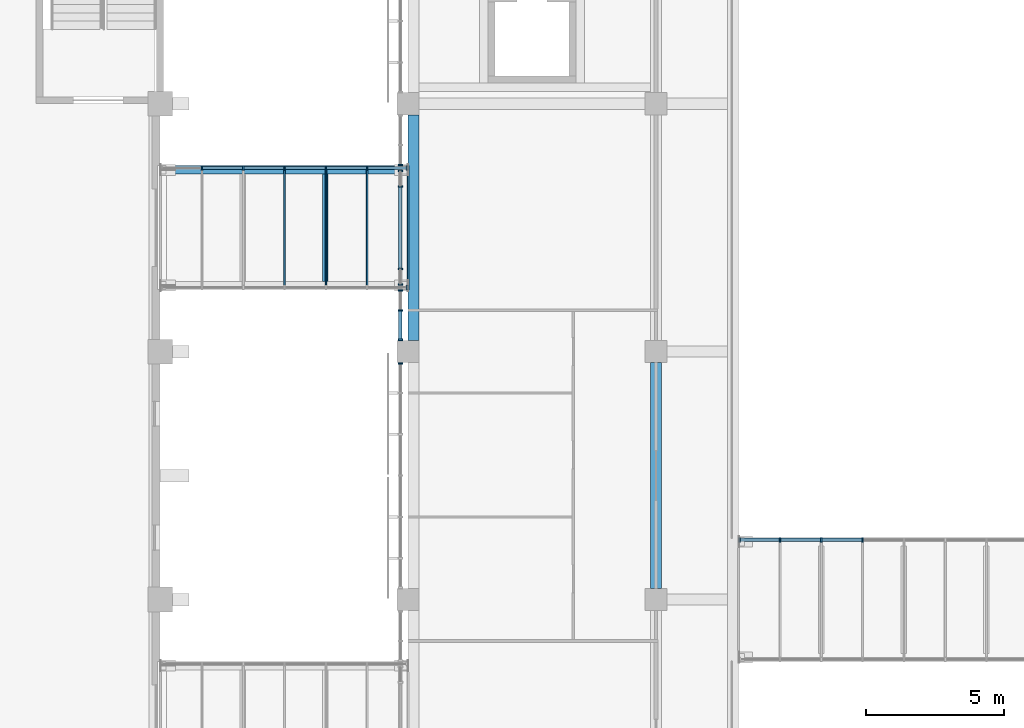
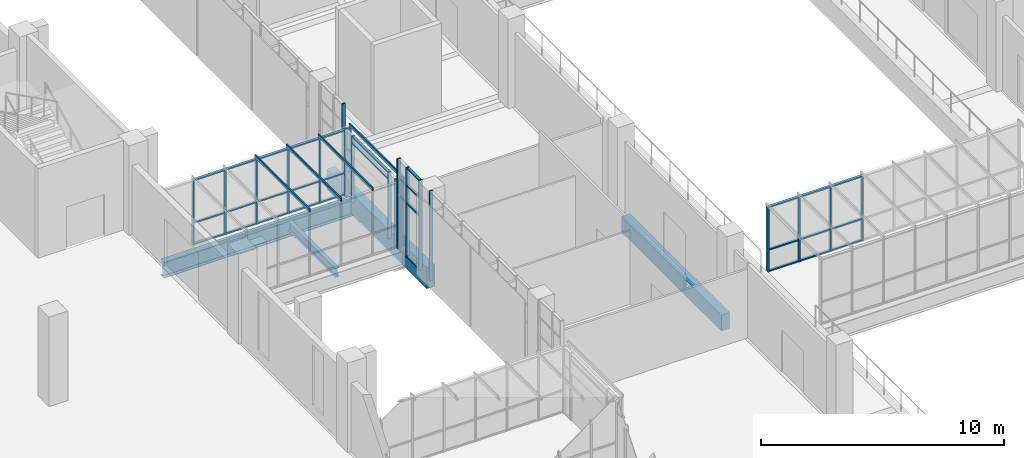
# One storey, part 16 of 88: 54 members, 4 beams, 8 elements without a shape of their own.
"""IFC4 building model written with IfcOpenShell, lengths in metres."""

from ifc_helpers import new_model, si_unit, direction, frame, origin, origin_2d, place, context, subcontext, project, spatial, rectangle, i_section, extrude, material, layer, layer_set, material_profile, profile_set, type_object, element, aggregate, save


model = new_model("IFC4")

# Units and contexts
model_context = context("Model", 3, precision=1e-05, world=origin(), true_north=direction((0.0, 1.0)))
body_context = subcontext(model_context, "Body", "Model", "MODEL_VIEW")
ifc_project = project(units=[si_unit("LENGTHUNIT", "METRE"), si_unit("AREAUNIT", "SQUARE_METRE"), si_unit("VOLUMEUNIT", "CUBIC_METRE"), si_unit("PLANEANGLEUNIT", "RADIAN"), si_unit("MASSUNIT", "GRAM", prefix="KILO")], contexts=[model_context])

# Site, building, storey
site_placement = place(None, origin())
site = spatial("IfcSite", under=ifc_project, at=site_placement, CompositionType="ELEMENT")
building_placement = place(site_placement, origin())
building = spatial("IfcBuilding", under=site, at=building_placement, Name="Guidao Yard Department Store", CompositionType="ELEMENT")
storey_placement = place(building_placement, frame((0.0, 0.0, 6.0)))
storey = spatial("IfcBuildingStorey", under=building, at=storey_placement, Name="L01", CompositionType="ELEMENT", Elevation=6.0)

# Beams
ifc_material_1 = material(Name="Concrete C40", Category="concrete")
ifc_material_profile_1 = material_profile(ifc_material_1, rectangle(XDim=0.39990234375, YDim=1.050048828125, at=origin_2d()), Name="Bridge landing beam 400 x 1050 C40")
ifc_profile_set_1 = profile_set([ifc_material_profile_1], Name="Concrete C40")
beam_type_1 = type_object("IfcBeamType", Name="Bridge landing beam 400 x 1050 C40", PredefinedType="BEAM", material=ifc_profile_set_1)
beam_1_placement = place(storey_placement, frame((72.199951171875, 72.39990234375, -0.52490234375), z_axis=(0.0, 1.0, 0.0), x_axis=(-1.0, 0.0, 0.0)))
element("IfcBeam", 1, at=beam_1_placement, inside=storey, type_object=beam_type_1, Name="Beam LB04", PredefinedType="BEAM", context=body_context, shape_type="SweptSolid", body=[
    extrude(rectangle(XDim=0.39990234375, YDim=1.050048828125, at=origin_2d()), origin(), (0.0, 0.0, 1.0), 8.2001953125),
])
ifc_material_2 = material(Name="Concrete C40", Category="concrete")
ifc_material_profile_2 = material_profile(ifc_material_2, rectangle(XDim=0.39990234375, YDim=0.800048828125, at=origin_2d()), Name="Edge beam 400 x 800 C40")
ifc_profile_set_2 = profile_set([ifc_material_profile_2], Name="Concrete C40")
beam_type_2 = type_object("IfcBeamType", Name="Edge beam 400 x 800 C40", PredefinedType="BEAM", material=ifc_profile_set_2)
beam_2_placement = place(storey_placement, frame((81.0, 63.39990234375, -0.39990234375), z_axis=(0.0, 1.0, 0.0), x_axis=(-1.0, 0.0, 0.0)))
element("IfcBeam", 2, at=beam_2_placement, inside=storey, type_object=beam_type_2, Name="Beam EB34", PredefinedType="BEAM", context=body_context, shape_type="SweptSolid", body=[
    extrude(rectangle(XDim=0.39990234375, YDim=0.800048828125, at=origin_2d()), origin(), (0.0, 0.0, 1.0), 8.2001953125),
])
ifc_material_3 = material(Name="Steel Q355B", Category="steel")
ifc_material_profile_3 = material_profile(ifc_material_3, i_section(OverallWidth=0.199951171875, OverallDepth=0.449951171875, WebThickness=0.009033203125, FlangeThickness=0.013916015625, FilletRadius=0.012939453125, at=origin_2d()), Name="HN 450x200x9x14")
ifc_profile_set_3 = profile_set([ifc_material_profile_3], Name="Steel Q355B")
beam_type_3 = type_object("IfcBeamType", Name="HN 450x200x9x14", PredefinedType="BEAM", material=ifc_profile_set_3)
beam_3_placement = place(storey_placement, frame((68.9951171875, 74.550048828125, -0.47509765625), z_axis=(0.0, 1.0, 0.0), x_axis=(-1.0, 0.0, 0.0)))
element("IfcBeam", 3, at=beam_3_placement, inside=storey, type_object=beam_type_3, Name="Bridge cross beam BR02-2", PredefinedType="BEAM", context=body_context, shape_type="SweptSolid", body=[
    extrude(i_section(OverallWidth=0.199951171875, OverallDepth=0.449951171875, WebThickness=0.009033203125, FlangeThickness=0.013916015625, FilletRadius=0.012939453125, at=origin_2d()), origin(), (0.0, 0.0, 1.0), 3.89990234375),
])
ifc_material_4 = material(Name="Steel Q355B", Category="steel")
ifc_material_profile_4 = material_profile(ifc_material_4, i_section(OverallWidth=0.300048828125, OverallDepth=0.800048828125, WebThickness=0.013916015625, FlangeThickness=0.02587890625, FilletRadius=0.01806640625, at=origin_2d()), Name="HN 800x300x14x26")
ifc_profile_set_4 = profile_set([ifc_material_profile_4], Name="Steel Q355B")
beam_type_4 = type_object("IfcBeamType", Name="HN 800x300x14x26", PredefinedType="BEAM", material=ifc_profile_set_4)
beam_4_placement = place(storey_placement, frame((63.014892578125, 78.60009765625, -0.64990234375), z_axis=(1.0, 0.0, 0.0), x_axis=(0.0, 1.0, 0.0)))
element("IfcBeam", 4, at=beam_4_placement, inside=storey, type_object=beam_type_4, Name="Bridge girder BR02N", PredefinedType="BEAM", context=body_context, shape_type="SweptSolid", body=[
    extrude(i_section(OverallWidth=0.300048828125, OverallDepth=0.800048828125, WebThickness=0.013916015625, FlangeThickness=0.02587890625, FilletRadius=0.01806640625, at=origin_2d()), origin(), (0.0, 0.0, 1.0), 8.97021484375),
])

# Curtain wall, member
ifc_material_5 = material(Name="Aluminium and glass", Category="aluminium")
ifc_layer_1 = layer(ifc_material_5, 0.159912109375)
ifc_layer_set_1 = layer_set([ifc_layer_1], Name="Shopfront curtain wall CW1 1500 module")
curtain_wall_type_1 = type_object("IfcCurtainWallType", Name="Shopfront curtain wall CW1 1500 module", PredefinedType="NOTDEFINED", material=ifc_layer_set_1)
curtain_wall_1_placement = place(storey_placement, origin())
curtain_wall_1 = element("IfcCurtainWall", 5, at=curtain_wall_1_placement, inside=storey, type_object=curtain_wall_type_1, Name="Arcade shop front", PredefinedType="NOTDEFINED")
ifc_material_6 = material(Name="Aluminium 6063-T5", Category="aluminium")
ifc_material_profile_5 = material_profile(ifc_material_6, rectangle(XDim=0.06005859375, YDim=0.159912109375, at=origin_2d()), Name="Mullion M1 60 x 160 aluminium pressure plate")
ifc_profile_set_5 = profile_set([ifc_material_profile_5], Name="Aluminium 6063-T5")
member_type_1 = type_object("IfcMemberType", Name="Mullion M1 60 x 160 aluminium pressure plate", PredefinedType="MULLION", material=ifc_profile_set_5)
member_1_placement = place(storey_placement, frame((71.719970703125, 71.570068359375, 0.0), z_axis=(0.0, 0.0, 1.0), x_axis=(0.0, 1.0, 0.0)))
member_1 = element("IfcMember", 6, at=member_1_placement, type_object=member_type_1, Name="CW-AS-L01-05 mullion 7", PredefinedType="MULLION", context=body_context, shape_type="SweptSolid", body=[
    extrude(rectangle(XDim=0.06005859375, YDim=0.159912109375, at=origin_2d()), origin(), (0.0, 0.0, 1.0), 4.5),
])
aggregate(curtain_wall_1, [member_1])

# Curtain wall, members
curtain_wall_2_placement = place(storey_placement, origin())
curtain_wall_2 = element("IfcCurtainWall", 7, at=curtain_wall_2_placement, inside=storey, type_object=curtain_wall_type_1, Name="Arcade shop front", PredefinedType="NOTDEFINED")
member_2_placement = place(storey_placement, frame((71.719970703125, 72.429931640625, 0.0), z_axis=(0.0, 0.0, 1.0), x_axis=(0.0, 1.0, 0.0)))
member_2 = element("IfcMember", 8, at=member_2_placement, type_object=member_type_1, Name="CW-AS-L01-06 mullion 1", PredefinedType="MULLION", context=body_context, shape_type="SweptSolid", body=[
    extrude(rectangle(XDim=0.06005859375, YDim=0.159912109375, at=origin_2d()), origin(), (0.0, 0.0, 1.0), 4.5),
])
member_3_placement = place(storey_placement, frame((71.719970703125, 73.5, 0.0), z_axis=(0.0, 0.0, 1.0), x_axis=(0.0, 1.0, 0.0)))
member_3 = element("IfcMember", 9, at=member_3_placement, type_object=member_type_1, Name="CW-AS-L01-06 mullion 2", PredefinedType="MULLION", context=body_context, shape_type="SweptSolid", body=[
    extrude(rectangle(XDim=0.06005859375, YDim=0.159912109375, at=origin_2d()), origin(), (0.0, 0.0, 1.0), 4.5),
])
member_4_placement = place(storey_placement, frame((71.719970703125, 74.219970703125, 0.0), z_axis=(0.0, 0.0, 1.0), x_axis=(0.0, 1.0, 0.0)))
member_4 = element("IfcMember", 10, at=member_4_placement, type_object=member_type_1, Name="CW-AS-L01-06 mullion 3", PredefinedType="MULLION", context=body_context, shape_type="SweptSolid", body=[
    extrude(rectangle(XDim=0.06005859375, YDim=0.159912109375, at=origin_2d()), origin(), (0.0, 0.0, 1.0), 4.5),
])

curtain_wall_3_placement = place(storey_placement, origin())
curtain_wall_3 = element("IfcCurtainWall", 11, at=curtain_wall_3_placement, inside=storey, type_object=curtain_wall_type_1, Name="Arcade shop front", PredefinedType="NOTDEFINED")
member_5_placement = place(storey_placement, frame((71.719970703125, 74.43994140625, 0.0), z_axis=(0.0, 0.0, 1.0), x_axis=(0.0, 1.0, 0.0)))
member_5 = element("IfcMember", 12, at=member_5_placement, type_object=member_type_1, Name="CW-AS-L01-07 mullion 1", PredefinedType="MULLION", context=body_context, shape_type="SweptSolid", body=[
    extrude(rectangle(XDim=0.06005859375, YDim=0.159912109375, at=origin_2d()), origin(), (0.0, 0.0, 1.0), 3.35009765625),
])
member_6_placement = place(storey_placement, frame((71.719970703125, 75.0, 0.0), z_axis=(0.0, 0.0, 1.0), x_axis=(0.0, 1.0, 0.0)))
member_6 = element("IfcMember", 13, at=member_6_placement, type_object=member_type_1, Name="CW-AS-L01-07 mullion 2", PredefinedType="MULLION", context=body_context, shape_type="SweptSolid", body=[
    extrude(rectangle(XDim=0.06005859375, YDim=0.159912109375, at=origin_2d()), origin(), (0.0, 0.0, 1.0), 3.35009765625),
])
member_7_placement = place(storey_placement, frame((71.719970703125, 78.0, 0.0), z_axis=(0.0, 0.0, 1.0), x_axis=(0.0, 1.0, 0.0)))
member_7 = element("IfcMember", 14, at=member_7_placement, type_object=member_type_1, Name="CW-AS-L01-07 mullion 3", PredefinedType="MULLION", context=body_context, shape_type="SweptSolid", body=[
    extrude(rectangle(XDim=0.06005859375, YDim=0.159912109375, at=origin_2d()), origin(), (0.0, 0.0, 1.0), 3.35009765625),
])
member_8_placement = place(storey_placement, frame((71.719970703125, 78.56005859375, 0.0), z_axis=(0.0, 0.0, 1.0), x_axis=(0.0, 1.0, 0.0)))
member_8 = element("IfcMember", 15, at=member_8_placement, type_object=member_type_1, Name="CW-AS-L01-07 mullion 4", PredefinedType="MULLION", context=body_context, shape_type="SweptSolid", body=[
    extrude(rectangle(XDim=0.06005859375, YDim=0.159912109375, at=origin_2d()), origin(), (0.0, 0.0, 1.0), 3.35009765625),
])

# Curtain wall, member
curtain_wall_4_placement = place(storey_placement, origin())
curtain_wall_4 = element("IfcCurtainWall", 16, at=curtain_wall_4_placement, inside=storey, type_object=curtain_wall_type_1, Name="Arcade shop front", PredefinedType="NOTDEFINED")
member_9_placement = place(storey_placement, frame((71.719970703125, 78.780029296875, 0.0), z_axis=(0.0, 0.0, 1.0), x_axis=(0.0, 1.0, 0.0)))
member_9 = element("IfcMember", 17, at=member_9_placement, type_object=member_type_1, Name="CW-AS-L01-08 mullion 1", PredefinedType="MULLION", context=body_context, shape_type="SweptSolid", body=[
    extrude(rectangle(XDim=0.06005859375, YDim=0.159912109375, at=origin_2d()), origin(), (0.0, 0.0, 1.0), 4.5),
])
aggregate(curtain_wall_4, [member_9])

ifc_material_7 = material(Name="Aluminium and glass", Category="aluminium")
ifc_layer_2 = layer(ifc_material_7, 0.159912109375)
ifc_layer_set_2 = layer_set([ifc_layer_2], Name="Bridge glazing CW5 1500 module")
curtain_wall_type_2 = type_object("IfcCurtainWallType", Name="Bridge glazing CW5 1500 module", PredefinedType="NOTDEFINED", material=ifc_layer_set_2)
curtain_wall_5_placement = place(storey_placement, origin())
curtain_wall_5 = element("IfcCurtainWall", 18, at=curtain_wall_5_placement, inside=storey, type_object=curtain_wall_type_2, Name="Bridge glazing BR02 S", PredefinedType="NOTDEFINED")
member_10_placement = place(storey_placement, frame((71.969970703125, 74.330078125, 0.0), z_axis=(0.0, 0.0, 1.0), x_axis=(-1.0, 0.0, 0.0)))
member_10 = element("IfcMember", 19, at=member_10_placement, type_object=member_type_1, Name="CW-S-L01-03 mullion 7", PredefinedType="MULLION", context=body_context, shape_type="SweptSolid", body=[
    extrude(rectangle(XDim=0.06005859375, YDim=0.159912109375, at=origin_2d()), origin(), (0.0, 0.0, 1.0), 3.27001953125),
])
aggregate(curtain_wall_5, [member_10])

# Curtain wall, members
curtain_wall_6_placement = place(storey_placement, origin())
curtain_wall_6 = element("IfcCurtainWall", 20, at=curtain_wall_6_placement, inside=storey, type_object=curtain_wall_type_2, Name="Bridge glazing BR02 N", PredefinedType="NOTDEFINED")
member_11_placement = place(storey_placement, frame((64.514892578125, 78.669921875, 0.0), z_axis=(0.0, 0.0, 1.0), x_axis=(1.0, 0.0, 0.0)))
member_11 = element("IfcMember", 21, at=member_11_placement, type_object=member_type_1, Name="CW-N-L01-04 mullion 2", PredefinedType="MULLION", context=body_context, shape_type="SweptSolid", body=[
    extrude(rectangle(XDim=0.06005859375, YDim=0.159912109375, at=origin_2d()), origin(), (0.0, 0.0, 1.0), 3.27001953125),
])
member_12_placement = place(storey_placement, frame((66.014892578125, 78.669921875, 0.0), z_axis=(0.0, 0.0, 1.0), x_axis=(1.0, 0.0, 0.0)))
member_12 = element("IfcMember", 22, at=member_12_placement, type_object=member_type_1, Name="CW-N-L01-04 mullion 3", PredefinedType="MULLION", context=body_context, shape_type="SweptSolid", body=[
    extrude(rectangle(XDim=0.06005859375, YDim=0.159912109375, at=origin_2d()), origin(), (0.0, 0.0, 1.0), 3.27001953125),
])
member_13_placement = place(storey_placement, frame((67.514892578125, 78.669921875, 0.0), z_axis=(0.0, 0.0, 1.0), x_axis=(1.0, 0.0, 0.0)))
member_13 = element("IfcMember", 23, at=member_13_placement, type_object=member_type_1, Name="CW-N-L01-04 mullion 4", PredefinedType="MULLION", context=body_context, shape_type="SweptSolid", body=[
    extrude(rectangle(XDim=0.06005859375, YDim=0.159912109375, at=origin_2d()), origin(), (0.0, 0.0, 1.0), 3.27001953125),
])
member_14_placement = place(storey_placement, frame((69.014892578125, 78.669921875, 0.0), z_axis=(0.0, 0.0, 1.0), x_axis=(1.0, 0.0, 0.0)))
member_14 = element("IfcMember", 24, at=member_14_placement, type_object=member_type_1, Name="CW-N-L01-04 mullion 5", PredefinedType="MULLION", context=body_context, shape_type="SweptSolid", body=[
    extrude(rectangle(XDim=0.06005859375, YDim=0.159912109375, at=origin_2d()), origin(), (0.0, 0.0, 1.0), 3.27001953125),
])
member_15_placement = place(storey_placement, frame((70.514892578125, 78.669921875, 0.0), z_axis=(0.0, 0.0, 1.0), x_axis=(1.0, 0.0, 0.0)))
member_15 = element("IfcMember", 25, at=member_15_placement, type_object=member_type_1, Name="CW-N-L01-04 mullion 6", PredefinedType="MULLION", context=body_context, shape_type="SweptSolid", body=[
    extrude(rectangle(XDim=0.06005859375, YDim=0.159912109375, at=origin_2d()), origin(), (0.0, 0.0, 1.0), 3.27001953125),
])
member_16_placement = place(storey_placement, frame((71.969970703125, 78.669921875, 0.0), z_axis=(0.0, 0.0, 1.0), x_axis=(1.0, 0.0, 0.0)))
member_16 = element("IfcMember", 26, at=member_16_placement, type_object=member_type_1, Name="CW-N-L01-04 mullion 7", PredefinedType="MULLION", context=body_context, shape_type="SweptSolid", body=[
    extrude(rectangle(XDim=0.06005859375, YDim=0.159912109375, at=origin_2d()), origin(), (0.0, 0.0, 1.0), 3.27001953125),
])

curtain_wall_7_placement = place(storey_placement, origin())
curtain_wall_7 = element("IfcCurtainWall", 27, at=curtain_wall_7_placement, inside=storey, type_object=curtain_wall_type_2, Name="Bridge glazing BR09 N", PredefinedType="NOTDEFINED")
member_17_placement = place(storey_placement, frame((84.030029296875, 65.169921875, 0.0), z_axis=(0.0, 0.0, 1.0), x_axis=(1.0, 0.0, 0.0)))
member_17 = element("IfcMember", 28, at=member_17_placement, type_object=member_type_1, Name="CW-N-L01-10 mullion 1", PredefinedType="MULLION", context=body_context, shape_type="SweptSolid", body=[
    extrude(rectangle(XDim=0.06005859375, YDim=0.159912109375, at=origin_2d()), origin(), (0.0, 0.0, 1.0), 3.27001953125),
])
member_18_placement = place(storey_placement, frame((85.5, 65.169921875, 0.0), z_axis=(0.0, 0.0, 1.0), x_axis=(1.0, 0.0, 0.0)))
member_18 = element("IfcMember", 29, at=member_18_placement, type_object=member_type_1, Name="CW-N-L01-10 mullion 2", PredefinedType="MULLION", context=body_context, shape_type="SweptSolid", body=[
    extrude(rectangle(XDim=0.06005859375, YDim=0.159912109375, at=origin_2d()), origin(), (0.0, 0.0, 1.0), 3.27001953125),
])
member_19_placement = place(storey_placement, frame((87.0, 65.169921875, 0.0), z_axis=(0.0, 0.0, 1.0), x_axis=(1.0, 0.0, 0.0)))
member_19 = element("IfcMember", 30, at=member_19_placement, type_object=member_type_1, Name="CW-N-L01-10 mullion 3", PredefinedType="MULLION", context=body_context, shape_type="SweptSolid", body=[
    extrude(rectangle(XDim=0.06005859375, YDim=0.159912109375, at=origin_2d()), origin(), (0.0, 0.0, 1.0), 3.27001953125),
])
member_20_placement = place(storey_placement, frame((88.5, 65.169921875, 0.0), z_axis=(0.0, 0.0, 1.0), x_axis=(1.0, 0.0, 0.0)))
member_20 = element("IfcMember", 31, at=member_20_placement, type_object=member_type_1, Name="CW-N-L01-10 mullion 4", PredefinedType="MULLION", context=body_context, shape_type="SweptSolid", body=[
    extrude(rectangle(XDim=0.06005859375, YDim=0.159912109375, at=origin_2d()), origin(), (0.0, 0.0, 1.0), 3.27001953125),
])

curtain_wall_8_placement = place(storey_placement, origin())
curtain_wall_8 = element("IfcCurtainWall", 32, at=curtain_wall_8_placement, inside=storey, type_object=curtain_wall_type_2, Name="Bridge roof glazing BR02", PredefinedType="NOTDEFINED")
ifc_material_8 = material(Name="Aluminium 6063-T5", Category="aluminium")
ifc_material_profile_6 = material_profile(ifc_material_8, rectangle(XDim=0.06005859375, YDim=0.159912109375, at=origin_2d()), Name="Roof bar RB1 60 x 160 aluminium")
ifc_profile_set_6 = profile_set([ifc_material_profile_6], Name="Aluminium 6063-T5")
member_type_2 = type_object("IfcMemberType", Name="Roof bar RB1 60 x 160 aluminium", PredefinedType="USERDEFINED", material=ifc_profile_set_6)
member_21_placement = place(storey_placement, frame((67.514892578125, 74.25, 3.35009765625), z_axis=(0.0, 1.0, 0.0), x_axis=(-1.0, 0.0, 0.0)))
member_21 = element("IfcMember", 33, at=member_21_placement, type_object=member_type_2, Name="Bridge roof bar BR02", ObjectType="TRANSOM", PredefinedType="USERDEFINED", context=body_context, shape_type="SweptSolid", body=[
    extrude(rectangle(XDim=0.06005859375, YDim=0.159912109375, at=origin_2d()), origin(), (0.0, 0.0, 1.0), 4.5),
])
member_22_placement = place(storey_placement, frame((69.014892578125, 74.25, 3.35009765625), z_axis=(0.0, 1.0, 0.0), x_axis=(-1.0, 0.0, 0.0)))
member_22 = element("IfcMember", 34, at=member_22_placement, type_object=member_type_2, Name="Bridge roof bar BR02", ObjectType="TRANSOM", PredefinedType="USERDEFINED", context=body_context, shape_type="SweptSolid", body=[
    extrude(rectangle(XDim=0.06005859375, YDim=0.159912109375, at=origin_2d()), origin(), (0.0, 0.0, 1.0), 4.5),
])
member_23_placement = place(storey_placement, frame((70.514892578125, 74.25, 3.35009765625), z_axis=(0.0, 1.0, 0.0), x_axis=(-1.0, 0.0, 0.0)))
member_23 = element("IfcMember", 35, at=member_23_placement, type_object=member_type_2, Name="Bridge roof bar BR02", ObjectType="TRANSOM", PredefinedType="USERDEFINED", context=body_context, shape_type="SweptSolid", body=[
    extrude(rectangle(XDim=0.06005859375, YDim=0.159912109375, at=origin_2d()), origin(), (0.0, 0.0, 1.0), 4.5),
])
member_24_placement = place(storey_placement, frame((72.0, 74.25, 3.35009765625), z_axis=(0.0, 1.0, 0.0), x_axis=(-1.0, 0.0, 0.0)))
member_24 = element("IfcMember", 36, at=member_24_placement, type_object=member_type_2, Name="Bridge roof bar BR02", ObjectType="TRANSOM", PredefinedType="USERDEFINED", context=body_context, shape_type="SweptSolid", body=[
    extrude(rectangle(XDim=0.06005859375, YDim=0.159912109375, at=origin_2d()), origin(), (0.0, 0.0, 1.0), 4.5),
])
aggregate(curtain_wall_8, [member_21, member_22, member_23, member_24])

# Member
ifc_material_9 = material(Name="Aluminium 6063-T5", Category="aluminium")
ifc_material_profile_7 = material_profile(ifc_material_9, rectangle(XDim=0.1201171875, YDim=0.06005859375, at=origin_2d()), Name="Transom T1 60 x 120 aluminium pressure plate")
ifc_profile_set_7 = profile_set([ifc_material_profile_7], Name="Aluminium 6063-T5")
member_type_3 = type_object("IfcMemberType", Name="Transom T1 60 x 120 aluminium pressure plate", PredefinedType="USERDEFINED", material=ifc_profile_set_7)
member_25_placement = place(storey_placement, frame((71.719970703125, 72.4599609375, 0.030029296875), z_axis=(0.0, 1.0, 0.0), x_axis=(-1.0, 0.0, 0.0)))
member_25 = element("IfcMember", 37, at=member_25_placement, type_object=member_type_3, Name="CW-AS-L01-06 transom 1.1", ObjectType="TRANSOM", PredefinedType="USERDEFINED", context=body_context, shape_type="SweptSolid", body=[
    extrude(rectangle(XDim=0.1201171875, YDim=0.06005859375, at=origin_2d()), origin(), (0.0, 0.0, 1.0), 1.010009765625),
])

member_26_placement = place(storey_placement, frame((71.719970703125, 72.4599609375, 2.699951171875), z_axis=(0.0, 1.0, 0.0), x_axis=(-1.0, 0.0, 0.0)))
member_26 = element("IfcMember", 38, at=member_26_placement, type_object=member_type_3, Name="CW-AS-L01-06 transom 1.2", ObjectType="TRANSOM", PredefinedType="USERDEFINED", context=body_context, shape_type="SweptSolid", body=[
    extrude(rectangle(XDim=0.1201171875, YDim=0.06005859375, at=origin_2d()), origin(), (0.0, 0.0, 1.0), 1.010009765625),
])

member_27_placement = place(storey_placement, frame((71.719970703125, 72.4599609375, 3.60009765625), z_axis=(0.0, 1.0, 0.0), x_axis=(-1.0, 0.0, 0.0)))
member_27 = element("IfcMember", 39, at=member_27_placement, type_object=member_type_3, Name="CW-AS-L01-06 transom 1.3", ObjectType="TRANSOM", PredefinedType="USERDEFINED", context=body_context, shape_type="SweptSolid", body=[
    extrude(rectangle(XDim=0.1201171875, YDim=0.06005859375, at=origin_2d()), origin(), (0.0, 0.0, 1.0), 1.010009765625),
])

member_28_placement = place(storey_placement, frame((71.719970703125, 72.4599609375, 4.469970703125), z_axis=(0.0, 1.0, 0.0), x_axis=(-1.0, 0.0, 0.0)))
member_28 = element("IfcMember", 40, at=member_28_placement, type_object=member_type_3, Name="CW-AS-L01-06 transom 1.4", ObjectType="TRANSOM", PredefinedType="USERDEFINED", context=body_context, shape_type="SweptSolid", body=[
    extrude(rectangle(XDim=0.1201171875, YDim=0.06005859375, at=origin_2d()), origin(), (0.0, 0.0, 1.0), 1.010009765625),
])

aggregate(curtain_wall_2, [member_2, member_3, member_4, member_25, member_26, member_27, member_28])

member_29_placement = place(storey_placement, frame((71.719970703125, 75.030029296875, 3.0), z_axis=(0.0, 1.0, 0.0), x_axis=(-1.0, 0.0, 0.0)))
member_29 = element("IfcMember", 41, at=member_29_placement, type_object=member_type_3, Name="CW-AS-L01-07 transom 2.2", ObjectType="TRANSOM", PredefinedType="USERDEFINED", context=body_context, shape_type="SweptSolid", body=[
    extrude(rectangle(XDim=0.1201171875, YDim=0.06005859375, at=origin_2d()), origin(), (0.0, 0.0, 1.0), 2.93994140625),
])

member_30_placement = place(storey_placement, frame((71.719970703125, 75.030029296875, 3.320068359375), z_axis=(0.0, 1.0, 0.0), x_axis=(-1.0, 0.0, 0.0)))
member_30 = element("IfcMember", 42, at=member_30_placement, type_object=member_type_3, Name="CW-AS-L01-07 transom 2.3", ObjectType="TRANSOM", PredefinedType="USERDEFINED", context=body_context, shape_type="SweptSolid", body=[
    extrude(rectangle(XDim=0.1201171875, YDim=0.06005859375, at=origin_2d()), origin(), (0.0, 0.0, 1.0), 2.93994140625),
])

aggregate(curtain_wall_3, [member_5, member_6, member_7, member_8, member_29, member_30])

member_31_placement = place(storey_placement, frame((64.544921875, 78.669921875, 0.030029296875), z_axis=(1.0, 0.0, 0.0), x_axis=(0.0, 1.0, 0.0)))
member_31 = element("IfcMember", 43, at=member_31_placement, type_object=member_type_3, Name="CW-N-L01-04 transom 2.1", ObjectType="TRANSOM", PredefinedType="USERDEFINED", context=body_context, shape_type="SweptSolid", body=[
    extrude(rectangle(XDim=0.1201171875, YDim=0.06005859375, at=origin_2d()), origin(), (0.0, 0.0, 1.0), 1.440185546875),
])

member_32_placement = place(storey_placement, frame((64.544921875, 78.669921875, 1.10009765625), z_axis=(1.0, 0.0, 0.0), x_axis=(0.0, 1.0, 0.0)))
member_32 = element("IfcMember", 44, at=member_32_placement, type_object=member_type_3, Name="CW-N-L01-04 transom 2.2", ObjectType="TRANSOM", PredefinedType="USERDEFINED", context=body_context, shape_type="SweptSolid", body=[
    extrude(rectangle(XDim=0.1201171875, YDim=0.06005859375, at=origin_2d()), origin(), (0.0, 0.0, 1.0), 1.440185546875),
])

member_33_placement = place(storey_placement, frame((64.544921875, 78.669921875, 3.239990234375), z_axis=(1.0, 0.0, 0.0), x_axis=(0.0, 1.0, 0.0)))
member_33 = element("IfcMember", 45, at=member_33_placement, type_object=member_type_3, Name="CW-N-L01-04 transom 2.3", ObjectType="TRANSOM", PredefinedType="USERDEFINED", context=body_context, shape_type="SweptSolid", body=[
    extrude(rectangle(XDim=0.1201171875, YDim=0.06005859375, at=origin_2d()), origin(), (0.0, 0.0, 1.0), 1.440185546875),
])

member_34_placement = place(storey_placement, frame((66.044921875, 78.669921875, 0.030029296875), z_axis=(1.0, 0.0, 0.0), x_axis=(0.0, 1.0, 0.0)))
member_34 = element("IfcMember", 46, at=member_34_placement, type_object=member_type_3, Name="CW-N-L01-04 transom 3.1", ObjectType="TRANSOM", PredefinedType="USERDEFINED", context=body_context, shape_type="SweptSolid", body=[
    extrude(rectangle(XDim=0.1201171875, YDim=0.06005859375, at=origin_2d()), origin(), (0.0, 0.0, 1.0), 1.440185546875),
])

member_35_placement = place(storey_placement, frame((66.044921875, 78.669921875, 1.10009765625), z_axis=(1.0, 0.0, 0.0), x_axis=(0.0, 1.0, 0.0)))
member_35 = element("IfcMember", 47, at=member_35_placement, type_object=member_type_3, Name="CW-N-L01-04 transom 3.2", ObjectType="TRANSOM", PredefinedType="USERDEFINED", context=body_context, shape_type="SweptSolid", body=[
    extrude(rectangle(XDim=0.1201171875, YDim=0.06005859375, at=origin_2d()), origin(), (0.0, 0.0, 1.0), 1.440185546875),
])

member_36_placement = place(storey_placement, frame((66.044921875, 78.669921875, 3.239990234375), z_axis=(1.0, 0.0, 0.0), x_axis=(0.0, 1.0, 0.0)))
member_36 = element("IfcMember", 48, at=member_36_placement, type_object=member_type_3, Name="CW-N-L01-04 transom 3.3", ObjectType="TRANSOM", PredefinedType="USERDEFINED", context=body_context, shape_type="SweptSolid", body=[
    extrude(rectangle(XDim=0.1201171875, YDim=0.06005859375, at=origin_2d()), origin(), (0.0, 0.0, 1.0), 1.440185546875),
])

member_37_placement = place(storey_placement, frame((67.544921875, 78.669921875, 0.030029296875), z_axis=(1.0, 0.0, 0.0), x_axis=(0.0, 1.0, 0.0)))
member_37 = element("IfcMember", 49, at=member_37_placement, type_object=member_type_3, Name="CW-N-L01-04 transom 4.1", ObjectType="TRANSOM", PredefinedType="USERDEFINED", context=body_context, shape_type="SweptSolid", body=[
    extrude(rectangle(XDim=0.1201171875, YDim=0.06005859375, at=origin_2d()), origin(), (0.0, 0.0, 1.0), 1.440185546875),
])

member_38_placement = place(storey_placement, frame((67.544921875, 78.669921875, 1.10009765625), z_axis=(1.0, 0.0, 0.0), x_axis=(0.0, 1.0, 0.0)))
member_38 = element("IfcMember", 50, at=member_38_placement, type_object=member_type_3, Name="CW-N-L01-04 transom 4.2", ObjectType="TRANSOM", PredefinedType="USERDEFINED", context=body_context, shape_type="SweptSolid", body=[
    extrude(rectangle(XDim=0.1201171875, YDim=0.06005859375, at=origin_2d()), origin(), (0.0, 0.0, 1.0), 1.440185546875),
])

member_39_placement = place(storey_placement, frame((67.544921875, 78.669921875, 3.239990234375), z_axis=(1.0, 0.0, 0.0), x_axis=(0.0, 1.0, 0.0)))
member_39 = element("IfcMember", 51, at=member_39_placement, type_object=member_type_3, Name="CW-N-L01-04 transom 4.3", ObjectType="TRANSOM", PredefinedType="USERDEFINED", context=body_context, shape_type="SweptSolid", body=[
    extrude(rectangle(XDim=0.1201171875, YDim=0.06005859375, at=origin_2d()), origin(), (0.0, 0.0, 1.0), 1.440185546875),
])

member_40_placement = place(storey_placement, frame((69.044921875, 78.669921875, 0.030029296875), z_axis=(1.0, 0.0, 0.0), x_axis=(0.0, 1.0, 0.0)))
member_40 = element("IfcMember", 52, at=member_40_placement, type_object=member_type_3, Name="CW-N-L01-04 transom 5.1", ObjectType="TRANSOM", PredefinedType="USERDEFINED", context=body_context, shape_type="SweptSolid", body=[
    extrude(rectangle(XDim=0.1201171875, YDim=0.06005859375, at=origin_2d()), origin(), (0.0, 0.0, 1.0), 1.440185546875),
])

member_41_placement = place(storey_placement, frame((69.044921875, 78.669921875, 1.10009765625), z_axis=(1.0, 0.0, 0.0), x_axis=(0.0, 1.0, 0.0)))
member_41 = element("IfcMember", 53, at=member_41_placement, type_object=member_type_3, Name="CW-N-L01-04 transom 5.2", ObjectType="TRANSOM", PredefinedType="USERDEFINED", context=body_context, shape_type="SweptSolid", body=[
    extrude(rectangle(XDim=0.1201171875, YDim=0.06005859375, at=origin_2d()), origin(), (0.0, 0.0, 1.0), 1.440185546875),
])

member_42_placement = place(storey_placement, frame((69.044921875, 78.669921875, 3.239990234375), z_axis=(1.0, 0.0, 0.0), x_axis=(0.0, 1.0, 0.0)))
member_42 = element("IfcMember", 54, at=member_42_placement, type_object=member_type_3, Name="CW-N-L01-04 transom 5.3", ObjectType="TRANSOM", PredefinedType="USERDEFINED", context=body_context, shape_type="SweptSolid", body=[
    extrude(rectangle(XDim=0.1201171875, YDim=0.06005859375, at=origin_2d()), origin(), (0.0, 0.0, 1.0), 1.440185546875),
])

member_43_placement = place(storey_placement, frame((70.544921875, 78.669921875, 0.030029296875), z_axis=(1.0, 0.0, 0.0), x_axis=(0.0, 1.0, 0.0)))
member_43 = element("IfcMember", 55, at=member_43_placement, type_object=member_type_3, Name="CW-N-L01-04 transom 6.1", ObjectType="TRANSOM", PredefinedType="USERDEFINED", context=body_context, shape_type="SweptSolid", body=[
    extrude(rectangle(XDim=0.1201171875, YDim=0.06005859375, at=origin_2d()), origin(), (0.0, 0.0, 1.0), 1.39501953125),
])

member_44_placement = place(storey_placement, frame((70.544921875, 78.669921875, 1.10009765625), z_axis=(1.0, 0.0, 0.0), x_axis=(0.0, 1.0, 0.0)))
member_44 = element("IfcMember", 56, at=member_44_placement, type_object=member_type_3, Name="CW-N-L01-04 transom 6.2", ObjectType="TRANSOM", PredefinedType="USERDEFINED", context=body_context, shape_type="SweptSolid", body=[
    extrude(rectangle(XDim=0.1201171875, YDim=0.06005859375, at=origin_2d()), origin(), (0.0, 0.0, 1.0), 1.39501953125),
])

member_45_placement = place(storey_placement, frame((70.544921875, 78.669921875, 3.239990234375), z_axis=(1.0, 0.0, 0.0), x_axis=(0.0, 1.0, 0.0)))
member_45 = element("IfcMember", 57, at=member_45_placement, type_object=member_type_3, Name="CW-N-L01-04 transom 6.3", ObjectType="TRANSOM", PredefinedType="USERDEFINED", context=body_context, shape_type="SweptSolid", body=[
    extrude(rectangle(XDim=0.1201171875, YDim=0.06005859375, at=origin_2d()), origin(), (0.0, 0.0, 1.0), 1.39501953125),
])

aggregate(curtain_wall_6, [member_11, member_12, member_13, member_14, member_15, member_16, member_31, member_32, member_33, member_34, member_35, member_36, member_37, member_38, member_39, member_40, member_41, member_42, member_43, member_44, member_45])

member_46_placement = place(storey_placement, frame((84.06005859375, 65.169921875, 0.030029296875), z_axis=(1.0, 0.0, 0.0), x_axis=(0.0, 1.0, 0.0)))
member_46 = element("IfcMember", 58, at=member_46_placement, type_object=member_type_3, Name="CW-N-L01-10 transom 1.1", ObjectType="TRANSOM", PredefinedType="USERDEFINED", context=body_context, shape_type="SweptSolid", body=[
    extrude(rectangle(XDim=0.1201171875, YDim=0.06005859375, at=origin_2d()), origin(), (0.0, 0.0, 1.0), 1.409912109375),
])

member_47_placement = place(storey_placement, frame((84.06005859375, 65.169921875, 1.10009765625), z_axis=(1.0, 0.0, 0.0), x_axis=(0.0, 1.0, 0.0)))
member_47 = element("IfcMember", 59, at=member_47_placement, type_object=member_type_3, Name="CW-N-L01-10 transom 1.2", ObjectType="TRANSOM", PredefinedType="USERDEFINED", context=body_context, shape_type="SweptSolid", body=[
    extrude(rectangle(XDim=0.1201171875, YDim=0.06005859375, at=origin_2d()), origin(), (0.0, 0.0, 1.0), 1.409912109375),
])

member_48_placement = place(storey_placement, frame((84.06005859375, 65.169921875, 3.239990234375), z_axis=(1.0, 0.0, 0.0), x_axis=(0.0, 1.0, 0.0)))
member_48 = element("IfcMember", 60, at=member_48_placement, type_object=member_type_3, Name="CW-N-L01-10 transom 1.3", ObjectType="TRANSOM", PredefinedType="USERDEFINED", context=body_context, shape_type="SweptSolid", body=[
    extrude(rectangle(XDim=0.1201171875, YDim=0.06005859375, at=origin_2d()), origin(), (0.0, 0.0, 1.0), 1.409912109375),
])

member_49_placement = place(storey_placement, frame((85.530029296875, 65.169921875, 0.030029296875), z_axis=(1.0, 0.0, 0.0), x_axis=(0.0, 1.0, 0.0)))
member_49 = element("IfcMember", 61, at=member_49_placement, type_object=member_type_3, Name="CW-N-L01-10 transom 2.1", ObjectType="TRANSOM", PredefinedType="USERDEFINED", context=body_context, shape_type="SweptSolid", body=[
    extrude(rectangle(XDim=0.1201171875, YDim=0.06005859375, at=origin_2d()), origin(), (0.0, 0.0, 1.0), 1.43994140625),
])

member_50_placement = place(storey_placement, frame((85.530029296875, 65.169921875, 1.10009765625), z_axis=(1.0, 0.0, 0.0), x_axis=(0.0, 1.0, 0.0)))
member_50 = element("IfcMember", 62, at=member_50_placement, type_object=member_type_3, Name="CW-N-L01-10 transom 2.2", ObjectType="TRANSOM", PredefinedType="USERDEFINED", context=body_context, shape_type="SweptSolid", body=[
    extrude(rectangle(XDim=0.1201171875, YDim=0.06005859375, at=origin_2d()), origin(), (0.0, 0.0, 1.0), 1.43994140625),
])

member_51_placement = place(storey_placement, frame((85.530029296875, 65.169921875, 3.239990234375), z_axis=(1.0, 0.0, 0.0), x_axis=(0.0, 1.0, 0.0)))
member_51 = element("IfcMember", 63, at=member_51_placement, type_object=member_type_3, Name="CW-N-L01-10 transom 2.3", ObjectType="TRANSOM", PredefinedType="USERDEFINED", context=body_context, shape_type="SweptSolid", body=[
    extrude(rectangle(XDim=0.1201171875, YDim=0.06005859375, at=origin_2d()), origin(), (0.0, 0.0, 1.0), 1.43994140625),
])

member_52_placement = place(storey_placement, frame((87.030029296875, 65.169921875, 0.030029296875), z_axis=(1.0, 0.0, 0.0), x_axis=(0.0, 1.0, 0.0)))
member_52 = element("IfcMember", 64, at=member_52_placement, type_object=member_type_3, Name="CW-N-L01-10 transom 3.1", ObjectType="TRANSOM", PredefinedType="USERDEFINED", context=body_context, shape_type="SweptSolid", body=[
    extrude(rectangle(XDim=0.1201171875, YDim=0.06005859375, at=origin_2d()), origin(), (0.0, 0.0, 1.0), 1.43994140625),
])

member_53_placement = place(storey_placement, frame((87.030029296875, 65.169921875, 1.10009765625), z_axis=(1.0, 0.0, 0.0), x_axis=(0.0, 1.0, 0.0)))
member_53 = element("IfcMember", 65, at=member_53_placement, type_object=member_type_3, Name="CW-N-L01-10 transom 3.2", ObjectType="TRANSOM", PredefinedType="USERDEFINED", context=body_context, shape_type="SweptSolid", body=[
    extrude(rectangle(XDim=0.1201171875, YDim=0.06005859375, at=origin_2d()), origin(), (0.0, 0.0, 1.0), 1.43994140625),
])

member_54_placement = place(storey_placement, frame((87.030029296875, 65.169921875, 3.239990234375), z_axis=(1.0, 0.0, 0.0), x_axis=(0.0, 1.0, 0.0)))
member_54 = element("IfcMember", 66, at=member_54_placement, type_object=member_type_3, Name="CW-N-L01-10 transom 3.3", ObjectType="TRANSOM", PredefinedType="USERDEFINED", context=body_context, shape_type="SweptSolid", body=[
    extrude(rectangle(XDim=0.1201171875, YDim=0.06005859375, at=origin_2d()), origin(), (0.0, 0.0, 1.0), 1.43994140625),
])

aggregate(curtain_wall_7, [member_17, member_18, member_19, member_20, member_46, member_47, member_48, member_49, member_50, member_51, member_52, member_53, member_54])

save(model, "model.ifc")
